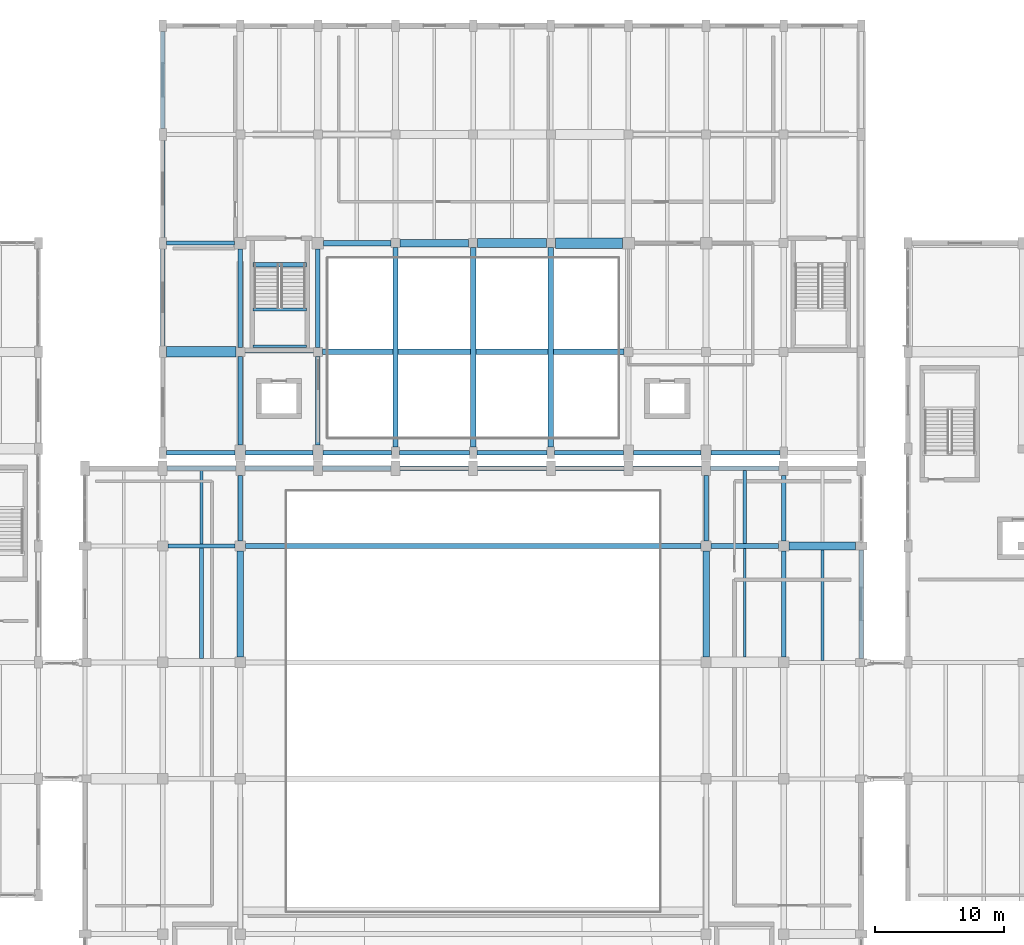
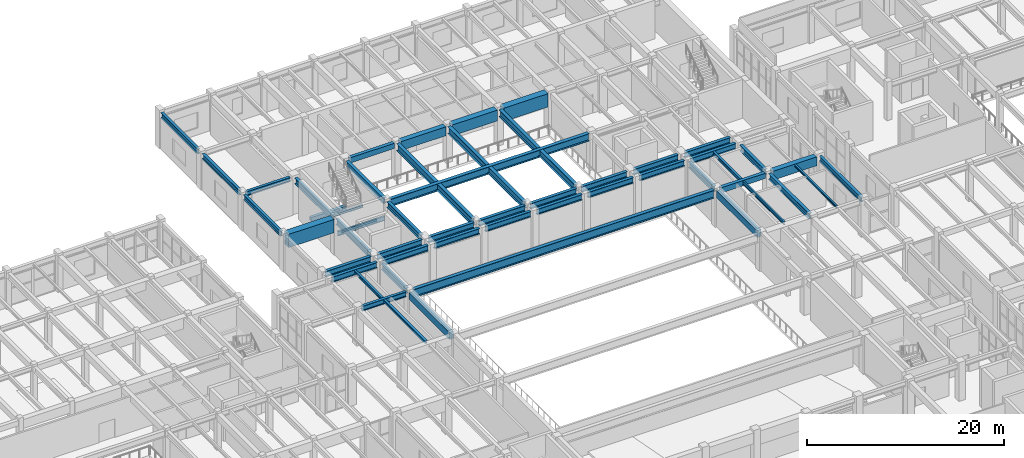
# One storey, part 47 of 96: 53 beams.
"""IFC4 building model written with IfcOpenShell, lengths in metres."""

from ifc_helpers import new_model, si_unit, direction, frame, origin, origin_2d, place, context, subcontext, project, spatial, rectangle, i_section, extrude, material, material_profile, profile_set, type_object, element, save


model = new_model("IFC4")

# Units and contexts
model_context = context("Model", 3, precision=1e-05, world=origin(), true_north=direction((0.0, 1.0)))
body_context = subcontext(model_context, "Body", "Model", "MODEL_VIEW")
ifc_project = project(units=[si_unit("LENGTHUNIT", "METRE"), si_unit("AREAUNIT", "SQUARE_METRE"), si_unit("VOLUMEUNIT", "CUBIC_METRE"), si_unit("PLANEANGLEUNIT", "RADIAN"), si_unit("MASSUNIT", "GRAM", prefix="KILO")], contexts=[model_context])

# Site, building, storey
site_placement = place(None, origin())
site = spatial("IfcSite", under=ifc_project, at=site_placement, CompositionType="ELEMENT")
building_placement = place(site_placement, origin())
building = spatial("IfcBuilding", under=site, at=building_placement, Name="Vaelkrest Opera House", CompositionType="ELEMENT")
storey_placement = place(building_placement, frame((0.0, 0.0, 5.39990234375)))
storey = spatial("IfcBuildingStorey", under=building, at=storey_placement, Name="L01", CompositionType="ELEMENT", Elevation=5.39990234375)

# Beams
ifc_material_1 = material(Name="Concrete C50/60", Category="concrete")
ifc_material_profile_1 = material_profile(ifc_material_1, rectangle(XDim=0.39990234375, YDim=0.64990234375, at=origin_2d()), Name="RCB400X650")
ifc_profile_set_1 = profile_set([ifc_material_profile_1], Name="Concrete C50/60")
beam_type_1 = type_object("IfcBeamType", Name="B01", PredefinedType="BEAM", material=ifc_profile_set_1)
beam_1_placement = place(storey_placement, frame((18.39990234375, 10.199951171875, 4.175048828125), z_axis=(1.0, 0.0, 0.0), x_axis=(0.0, 1.0, 0.0)))
element("IfcBeam", 1, at=beam_1_placement, inside=storey, type_object=beam_type_1, Name="Beam BM-V1-L01-0245", PredefinedType="BEAM", context=body_context, shape_type="SweptSolid", body=[
    extrude(rectangle(XDim=0.39990234375, YDim=0.64990234375, at=origin_2d()), origin(), (0.0, 0.0, 1.0), 5.2001953125),
])
beam_2_placement = place(storey_placement, frame((-11.550048828125, 33.60009765625, 4.175048828125), z_axis=(1.0, 0.0, 0.0), x_axis=(0.0, 1.0, 0.0)))
element("IfcBeam", 2, at=beam_2_placement, inside=storey, type_object=beam_type_1, Name="Beam BM-V2-L01-0877", PredefinedType="BEAM", context=body_context, shape_type="SweptSolid", body=[
    extrude(rectangle(XDim=0.39990234375, YDim=0.64990234375, at=origin_2d()), origin(), (0.0, 0.0, 1.0), 5.199951171875),
])
ifc_material_profile_2 = material_profile(ifc_material_1, rectangle(XDim=0.5, YDim=0.85009765625, at=origin_2d()), Name="RCB500X850")
ifc_profile_set_2 = profile_set([ifc_material_profile_2], Name="Concrete C50/60")
beam_type_2 = type_object("IfcBeamType", Name="B03", PredefinedType="BEAM", material=ifc_profile_set_2)
for number, where, z_axis, x_axis, name in (
    (3, (-18.0, 1.60009765625, 4.0751953125), (0.0, 1.0, 0.0), (-1.0, 0.0, 0.0), "Beam BM-V1-L01-0276"),
    (4, (18.0, 1.60009765625, 4.0751953125), (0.0, 1.0, 0.0), (-1.0, 0.0, 0.0), "Beam BM-V1-L01-0284"),
):
    element("IfcBeam", number, at=place(storey_placement, frame(where, z_axis=z_axis, x_axis=x_axis)), inside=storey, type_object=beam_type_2, Name=name, PredefinedType="BEAM", context=body_context, shape_type="SweptSolid", body=[
        extrude(rectangle(XDim=0.5, YDim=0.85009765625, at=origin_2d()), origin(), (0.0, 0.0, 1.0), 8.199951171875),
    ])
ifc_material_profile_3 = material_profile(ifc_material_1, rectangle(XDim=0.60009765625, YDim=1.10009765625, at=origin_2d()), Name="RCB600X1100")
ifc_profile_set_3 = profile_set([ifc_material_profile_3], Name="Concrete C50/60")
beam_type_3 = type_object("IfcBeamType", Name="B05", PredefinedType="BEAM", material=ifc_profile_set_3)
beam_3_placement = place(storey_placement, frame((24.39990234375, 10.199951171875, 3.9501953125), z_axis=(1.0, 0.0, 0.0), x_axis=(0.0, 1.0, 0.0)))
element("IfcBeam", 5, at=beam_3_placement, inside=storey, type_object=beam_type_3, Name="Beam BM-V1-L01-0246", PredefinedType="BEAM", context=body_context, shape_type="SweptSolid", body=[
    extrude(rectangle(XDim=0.60009765625, YDim=1.10009765625, at=origin_2d()), origin(), (0.0, 0.0, 1.0), 5.150146484375),
])
beam_4_placement = place(storey_placement, frame((-5.64990234375, 33.60009765625, 3.9501953125), z_axis=(1.0, 0.0, 0.0), x_axis=(0.0, 1.0, 0.0)))
element("IfcBeam", 6, at=beam_4_placement, inside=storey, type_object=beam_type_3, Name="Beam BM-V2-L01-0878", PredefinedType="BEAM", context=body_context, shape_type="SweptSolid", body=[
    extrude(rectangle(XDim=0.60009765625, YDim=1.10009765625, at=origin_2d()), origin(), (0.0, 0.0, 1.0), 5.2998046875),
])
ifc_material_profile_4 = material_profile(ifc_material_1, rectangle(XDim=0.699951171875, YDim=1.35009765625, at=origin_2d()), Name="RCB700X1350")
ifc_profile_set_4 = profile_set([ifc_material_profile_4], Name="Concrete C50/60")
beam_type_4 = type_object("IfcBeamType", Name="B06", PredefinedType="BEAM", material=ifc_profile_set_4)
beam_5_placement = place(storey_placement, frame((0.35009765625, 33.60009765625, 3.8251953125), z_axis=(1.0, 0.0, 0.0), x_axis=(0.0, 1.0, 0.0)))
element("IfcBeam", 7, at=beam_5_placement, inside=storey, type_object=beam_type_4, Name="Beam BM-V2-L01-0879", PredefinedType="BEAM", context=body_context, shape_type="SweptSolid", body=[
    extrude(rectangle(XDim=0.699951171875, YDim=1.35009765625, at=origin_2d()), origin(), (0.0, 0.0, 1.0), 5.2998046875),
])
ifc_material_profile_5 = material_profile(ifc_material_1, rectangle(XDim=0.800048828125, YDim=1.64990234375, at=origin_2d()), Name="RCB800X1650")
ifc_profile_set_5 = profile_set([ifc_material_profile_5], Name="Concrete C50/60")
beam_type_5 = type_object("IfcBeamType", Name="B07", PredefinedType="BEAM", material=ifc_profile_set_5)
beam_6_placement = place(storey_placement, frame((-23.699951171875, 25.199951171875, 3.675048828125), z_axis=(1.0, 0.0, 0.0), x_axis=(0.0, 1.0, 0.0)))
element("IfcBeam", 8, at=beam_6_placement, inside=storey, type_object=beam_type_5, Name="Beam BM-V2-L01-0872", PredefinedType="BEAM", context=body_context, shape_type="SweptSolid", body=[
    extrude(rectangle(XDim=0.800048828125, YDim=1.64990234375, at=origin_2d()), origin(), (0.0, 0.0, 1.0), 5.349853515625),
])
beam_7_placement = place(storey_placement, frame((6.35009765625, 33.60009765625, 3.675048828125), z_axis=(1.0, 0.0, 0.0), x_axis=(0.0, 1.0, 0.0)))
element("IfcBeam", 9, at=beam_7_placement, inside=storey, type_object=beam_type_5, Name="Beam BM-V2-L01-0880", PredefinedType="BEAM", context=body_context, shape_type="SweptSolid", body=[
    extrude(rectangle(XDim=0.800048828125, YDim=1.64990234375, at=origin_2d()), origin(), (0.0, 0.0, 1.0), 5.199951171875),
])
ifc_material_2 = material(Name="Steel A992 Gr50", Category="steel")
ifc_material_profile_6 = material_profile(ifc_material_2, i_section(OverallWidth=0.35498046875, OverallDepth=0.695068359375, WebThickness=0.015380859375, FlangeThickness=0.02490234375, at=origin_2d()), Name="W27X146")
ifc_profile_set_6 = profile_set([ifc_material_profile_6], Name="Steel A992 Gr50")
beam_type_6 = type_object("IfcBeamType", Name="B10", PredefinedType="BEAM", material=ifc_profile_set_6)
for number, where, z_axis, x_axis, name in (
    (10, (-18.0, 10.60009765625, 4.152587890625), (0.0, 1.0, 0.0), (-1.0, 0.0, 0.0), "Beam BM-V1-L01-0277"),
    (11, (18.0, 10.60009765625, 4.152587890625), (0.0, 1.0, 0.0), (-1.0, 0.0, 0.0), "Beam BM-V1-L01-0285"),
):
    element("IfcBeam", number, at=place(storey_placement, frame(where, z_axis=z_axis, x_axis=x_axis)), inside=storey, type_object=beam_type_6, Name=name, PredefinedType="BEAM", context=body_context, shape_type="SweptSolid", body=[
        extrude(i_section(OverallWidth=0.35498046875, OverallDepth=0.695068359375, WebThickness=0.015380859375, FlangeThickness=0.02490234375, at=origin_2d()), origin(), (0.0, 0.0, 1.0), 5.0498046875),
    ])
beam_8_placement = place(storey_placement, frame((24.0, 1.60009765625, 4.152587890625), z_axis=(0.0, 1.0, 0.0), x_axis=(-1.0, 0.0, 0.0)))
element("IfcBeam", 12, at=beam_8_placement, inside=storey, type_object=beam_type_6, Name="Beam BM-V1-L01-0289", PredefinedType="BEAM", context=body_context, shape_type="SweptSolid", body=[
    extrude(i_section(OverallWidth=0.35498046875, OverallDepth=0.695068359375, WebThickness=0.015380859375, FlangeThickness=0.02490234375, at=origin_2d()), origin(), (0.0, 0.0, 1.0), 8.199951171875),
])
for number, where, z_axis, x_axis, name in (
    (13, (-18.0, 18.0, 4.152587890625), (0.0, 1.0, 0.0), (-1.0, 0.0, 0.0), "Beam BM-V2-L01-0905"),
    (14, (-12.0, 18.0, 4.152587890625), (0.0, 1.0, 0.0), (-1.0, 0.0, 0.0), "Beam BM-V2-L01-0909"),
):
    element("IfcBeam", number, at=place(storey_placement, frame(where, z_axis=z_axis, x_axis=x_axis)), inside=storey, type_object=beam_type_6, Name=name, PredefinedType="BEAM", context=body_context, shape_type="SweptSolid", body=[
        extrude(i_section(OverallWidth=0.35498046875, OverallDepth=0.695068359375, WebThickness=0.015380859375, FlangeThickness=0.02490234375, at=origin_2d()), origin(), (0.0, 0.0, 1.0), 6.85009765625),
    ])
ifc_material_profile_7 = material_profile(ifc_material_2, i_section(OverallWidth=0.39892578125, OverallDepth=0.85498046875, WebThickness=0.018310546875, FlangeThickness=0.029296875, at=origin_2d()), Name="W33X201")
ifc_profile_set_7 = profile_set([ifc_material_profile_7], Name="Steel A992 Gr50")
beam_type_7 = type_object("IfcBeamType", Name="B12", PredefinedType="BEAM", material=ifc_profile_set_7)
for number, where, z_axis, x_axis, name in (
    (15, (-6.0, 17.85009765625, 4.072509765625), (0.0, 1.0, 0.0), (-1.0, 0.0, 0.0), "Beam BM-V2-L01-0913"),
    (16, (0.0, 17.85009765625, 4.072509765625), (0.0, 1.0, 0.0), (-1.0, 0.0, 0.0), "Beam BM-V2-L01-0916"),
    (17, (6.0, 17.85009765625, 4.072509765625), (0.0, 1.0, 0.0), (-1.0, 0.0, 0.0), "Beam BM-V2-L01-0919"),
):
    element("IfcBeam", number, at=place(storey_placement, frame(where, z_axis=z_axis, x_axis=x_axis)), inside=storey, type_object=beam_type_7, Name=name, PredefinedType="BEAM", context=body_context, shape_type="SweptSolid", body=[
        extrude(i_section(OverallWidth=0.39892578125, OverallDepth=0.85498046875, WebThickness=0.018310546875, FlangeThickness=0.029296875, at=origin_2d()), origin(), (0.0, 0.0, 1.0), 15.39990234375),
    ])
ifc_material_profile_8 = material_profile(ifc_material_2, i_section(OverallWidth=0.41796875, OverallDepth=0.927001953125, WebThickness=0.019287109375, FlangeThickness=0.031982421875, at=origin_2d()), Name="W36X231")
ifc_profile_set_8 = profile_set([ifc_material_profile_8], Name="Steel A992 Gr50")
beam_type_8 = type_object("IfcBeamType", Name="B13", PredefinedType="BEAM", material=ifc_profile_set_8)
beam_9_placement = place(storey_placement, frame((-11.64990234375, 25.199951171875, 4.03662109375), z_axis=(1.0, 0.0, 0.0), x_axis=(0.0, 1.0, 0.0)))
element("IfcBeam", 18, at=beam_9_placement, inside=storey, type_object=beam_type_8, Name="Beam BM-V2-L01-0873", PredefinedType="BEAM", context=body_context, shape_type="SweptSolid", body=[
    extrude(i_section(OverallWidth=0.41796875, OverallDepth=0.927001953125, WebThickness=0.019287109375, FlangeThickness=0.031982421875, at=origin_2d()), origin(), (0.0, 0.0, 1.0), 23.2998046875),
])
ifc_material_profile_9 = material_profile(ifc_material_2, i_section(OverallWidth=0.35791015625, OverallDepth=0.7060546875, WebThickness=0.018310546875, FlangeThickness=0.0302734375, at=origin_2d()), Name="W27X178")
ifc_profile_set_9 = profile_set([ifc_material_profile_9], Name="Steel A992 Gr50")
beam_type_9 = type_object("IfcBeamType", Name="B14", PredefinedType="BEAM", material=ifc_profile_set_9)
beam_10_placement = place(storey_placement, frame((24.0, 10.60009765625, 4.147216796875), z_axis=(0.0, 1.0, 0.0), x_axis=(-1.0, 0.0, 0.0)))
element("IfcBeam", 19, at=beam_10_placement, inside=storey, type_object=beam_type_9, Name="Beam BM-V1-L01-0290", PredefinedType="BEAM", context=body_context, shape_type="SweptSolid", body=[
    extrude(i_section(OverallWidth=0.35791015625, OverallDepth=0.7060546875, WebThickness=0.018310546875, FlangeThickness=0.0302734375, at=origin_2d()), origin(), (0.0, 0.0, 1.0), 5.0498046875),
])
for number, where, z_axis, x_axis, name in (
    (20, (-18.0, 25.550048828125, 4.147216796875), (0.0, 1.0, 0.0), (-1.0, 0.0, 0.0), "Beam BM-V2-L01-0906"),
    (21, (-12.0, 25.550048828125, 4.147216796875), (0.0, 1.0, 0.0), (-1.0, 0.0, 0.0), "Beam BM-V2-L01-0910"),
):
    element("IfcBeam", number, at=place(storey_placement, frame(where, z_axis=z_axis, x_axis=x_axis)), inside=storey, type_object=beam_type_9, Name=name, PredefinedType="BEAM", context=body_context, shape_type="SweptSolid", body=[
        extrude(i_section(OverallWidth=0.35791015625, OverallDepth=0.7060546875, WebThickness=0.018310546875, FlangeThickness=0.0302734375, at=origin_2d()), origin(), (0.0, 0.0, 1.0), 7.599853515625),
    ])
ifc_material_profile_10 = material_profile(ifc_material_2, i_section(OverallWidth=0.39990234375, OverallDepth=1.02197265625, WebThickness=0.01904296875, FlangeThickness=0.0361328125, at=origin_2d()), Name="W40X249")
ifc_profile_set_10 = profile_set([ifc_material_profile_10], Name="Steel A992 Gr50")
beam_type_10 = type_object("IfcBeamType", Name="B15", PredefinedType="BEAM", material=ifc_profile_set_10)
beam_11_placement = place(storey_placement, frame((-17.60009765625, 10.199951171875, 3.989013671875), z_axis=(1.0, 0.0, 0.0), x_axis=(0.0, 1.0, 0.0)))
element("IfcBeam", 22, at=beam_11_placement, inside=storey, type_object=beam_type_10, Name="Beam BM-V1-L01-0244", PredefinedType="BEAM", context=body_context, shape_type="SweptSolid", body=[
    extrude(i_section(OverallWidth=0.39990234375, OverallDepth=1.02197265625, WebThickness=0.01904296875, FlangeThickness=0.0361328125, at=origin_2d()), origin(), (0.0, 0.0, 1.0), 35.2001953125),
])
ifc_material_profile_11 = material_profile(ifc_material_2, i_section(OverallWidth=0.326904296875, OverallDepth=0.6220703125, WebThickness=0.015380859375, FlangeThickness=0.0244140625, at=origin_2d()), Name="W24X131")
ifc_profile_set_11 = profile_set([ifc_material_profile_11], Name="Steel A992 Gr50")
beam_type_11 = type_object("IfcBeamType", Name="B19", PredefinedType="BEAM", material=ifc_profile_set_11)
beam_12_placement = place(storey_placement, frame((-23.60009765625, 10.199951171875, 4.189208984375), z_axis=(1.0, 0.0, 0.0), x_axis=(0.0, 1.0, 0.0)))
element("IfcBeam", 23, at=beam_12_placement, inside=storey, type_object=beam_type_11, Name="Beam BM-V1-L01-0243", PredefinedType="BEAM", context=body_context, shape_type="SweptSolid", body=[
    extrude(i_section(OverallWidth=0.326904296875, OverallDepth=0.6220703125, WebThickness=0.015380859375, FlangeThickness=0.0244140625, at=origin_2d()), origin(), (0.0, 0.0, 1.0), 5.2001953125),
])
ifc_material_profile_12 = material_profile(ifc_material_2, i_section(OverallWidth=0.31494140625, OverallDepth=0.551025390625, WebThickness=0.01513671875, FlangeThickness=0.0244140625, at=origin_2d()), Name="W21X122")
ifc_profile_set_12 = profile_set([ifc_material_profile_12], Name="Steel A992 Gr50")
beam_type_12 = type_object("IfcBeamType", Name="B20", PredefinedType="BEAM", material=ifc_profile_set_12)
beam_13_placement = place(storey_placement, frame((-23.699951171875, 33.60009765625, 4.224609375), z_axis=(1.0, 0.0, 0.0), x_axis=(0.0, 1.0, 0.0)))
element("IfcBeam", 24, at=beam_13_placement, inside=storey, type_object=beam_type_12, Name="Beam BM-V2-L01-0876", PredefinedType="BEAM", context=body_context, shape_type="SweptSolid", body=[
    extrude(i_section(OverallWidth=0.31494140625, OverallDepth=0.551025390625, WebThickness=0.01513671875, FlangeThickness=0.0244140625, at=origin_2d()), origin(), (0.0, 0.0, 1.0), 5.25),
])
ifc_material_profile_13 = material_profile(ifc_material_2, i_section(OverallWidth=0.2041015625, OverallDepth=0.257080078125, WebThickness=0.0087890625, FlangeThickness=0.015625, at=origin_2d()), Name="W10X45")
ifc_profile_set_13 = profile_set([ifc_material_profile_13], Name="Steel A992 Gr50")
beam_type_13 = type_object("IfcBeamType", Name="J01", PredefinedType="JOIST", material=ifc_profile_set_13)
beam_14_placement = place(storey_placement, frame((27.0, 1.362060546875, 4.37158203125), z_axis=(0.0, 1.0, 0.0), x_axis=(-1.0, 0.0, 0.0)))
element("IfcBeam", 25, at=beam_14_placement, inside=storey, type_object=beam_type_13, Name="Floor joist JST-V1-L01-0311", PredefinedType="JOIST", context=body_context, shape_type="SweptSolid", body=[
    extrude(i_section(OverallWidth=0.2041015625, OverallDepth=0.257080078125, WebThickness=0.0087890625, FlangeThickness=0.015625, at=origin_2d()), origin(), (0.0, 0.0, 1.0), 8.537841796875),
])
ifc_material_profile_14 = material_profile(ifc_material_2, i_section(OverallWidth=0.202880859375, OverallDepth=0.302978515625, WebThickness=0.007568359375, FlangeThickness=0.01318359375, at=origin_2d()), Name="W12X40")
ifc_profile_set_14 = profile_set([ifc_material_profile_14], Name="Steel A992 Gr50")
beam_type_14 = type_object("IfcBeamType", Name="J02", PredefinedType="JOIST", material=ifc_profile_set_14)
for number, where, z_axis, x_axis, name in (
    (26, (-17.02001953125, 25.6201171875, 2.048583984375), (1.0, 0.0, 0.0), (0.0, 1.0, 0.0), "Stair landing bearer beam ST05 L01-1N"),
    (27, (-17.02001953125, 28.469970703125, 2.048583984375), (1.0, 0.0, 0.0), (0.0, 1.0, 0.0), "Stair landing bearer beam ST05 L01-1F"),
):
    element("IfcBeam", number, at=place(storey_placement, frame(where, z_axis=z_axis, x_axis=x_axis)), inside=storey, type_object=beam_type_14, Name=name, PredefinedType="JOIST", context=body_context, shape_type="SweptSolid", body=[
        extrude(i_section(OverallWidth=0.202880859375, OverallDepth=0.302978515625, WebThickness=0.007568359375, FlangeThickness=0.01318359375, at=origin_2d()), origin(), (0.0, 0.0, 1.0), 4.14013671875),
    ])
ifc_material_profile_15 = material_profile(ifc_material_2, i_section(OverallWidth=0.304931640625, OverallDepth=0.30810546875, WebThickness=0.010009765625, FlangeThickness=0.015380859375, at=origin_2d()), Name="W12X65")
ifc_profile_set_15 = profile_set([ifc_material_profile_15], Name="Steel A992 Gr50")
beam_type_15 = type_object("IfcBeamType", Name="J04", PredefinedType="JOIST", material=ifc_profile_set_15)
beam_15_placement = place(storey_placement, frame((-21.0, 1.5, 4.34619140625), z_axis=(0.0, 1.0, 0.0), x_axis=(-1.0, 0.0, 0.0)))
element("IfcBeam", 28, at=beam_15_placement, inside=storey, type_object=beam_type_15, Name="Floor joist JST-V1-L01-0304", PredefinedType="JOIST", context=body_context, shape_type="SweptSolid", body=[
    extrude(i_section(OverallWidth=0.304931640625, OverallDepth=0.30810546875, WebThickness=0.010009765625, FlangeThickness=0.015380859375, at=origin_2d()), origin(), (0.0, 0.0, 1.0), 8.53662109375),
])
ifc_material_profile_16 = material_profile(ifc_material_2, i_section(OverallWidth=0.2548828125, OverallDepth=0.35693359375, WebThickness=0.010498046875, FlangeThickness=0.018310546875, at=origin_2d()), Name="W14X68")
ifc_profile_set_16 = profile_set([ifc_material_profile_16], Name="Steel A992 Gr50")
beam_type_16 = type_object("IfcBeamType", Name="J05", PredefinedType="JOIST", material=ifc_profile_set_16)
beam_16_placement = place(storey_placement, frame((-21.0, 10.363525390625, 4.321533203125), z_axis=(0.0, 1.0, 0.0), x_axis=(-1.0, 0.0, 0.0)))
element("IfcBeam", 29, at=beam_16_placement, inside=storey, type_object=beam_type_16, Name="Floor joist JST-V1-L01-0305", PredefinedType="JOIST", context=body_context, shape_type="SweptSolid", body=[
    extrude(i_section(OverallWidth=0.2548828125, OverallDepth=0.35693359375, WebThickness=0.010498046875, FlangeThickness=0.018310546875, at=origin_2d()), origin(), (0.0, 0.0, 1.0), 5.658935546875),
])
ifc_material_profile_17 = material_profile(ifc_material_2, i_section(OverallWidth=0.180908203125, OverallDepth=0.4169921875, WebThickness=0.010986328125, FlangeThickness=0.018310546875, at=origin_2d()), Name="W16X57")
ifc_profile_set_17 = profile_set([ifc_material_profile_17], Name="Steel A992 Gr50")
beam_type_17 = type_object("IfcBeamType", Name="J07", PredefinedType="JOIST", material=ifc_profile_set_17)
beam_17_placement = place(storey_placement, frame((21.0, 1.60009765625, 4.29150390625), z_axis=(0.0, 1.0, 0.0), x_axis=(-1.0, 0.0, 0.0)))
element("IfcBeam", 30, at=beam_17_placement, inside=storey, type_object=beam_type_17, Name="Floor joist JST-V1-L01-0307", PredefinedType="JOIST", context=body_context, shape_type="SweptSolid", body=[
    extrude(i_section(OverallWidth=0.180908203125, OverallDepth=0.4169921875, WebThickness=0.010986328125, FlangeThickness=0.018310546875, at=origin_2d()), origin(), (0.0, 0.0, 1.0), 8.39990234375),
])
ifc_material_profile_18 = material_profile(ifc_material_2, i_section(OverallWidth=0.261962890625, OverallDepth=0.4189453125, WebThickness=0.01171875, FlangeThickness=0.019287109375, at=origin_2d()), Name="W16X77")
ifc_profile_set_18 = profile_set([ifc_material_profile_18], Name="Steel A992 Gr50")
beam_type_18 = type_object("IfcBeamType", Name="J08", PredefinedType="JOIST", material=ifc_profile_set_18)
beam_18_placement = place(storey_placement, frame((21.0, 10.39990234375, 4.29052734375), z_axis=(0.0, 1.0, 0.0), x_axis=(-1.0, 0.0, 0.0)))
element("IfcBeam", 31, at=beam_18_placement, inside=storey, type_object=beam_type_18, Name="Floor joist JST-V1-L01-0308", PredefinedType="JOIST", context=body_context, shape_type="SweptSolid", body=[
    extrude(i_section(OverallWidth=0.261962890625, OverallDepth=0.4189453125, WebThickness=0.01171875, FlangeThickness=0.019287109375, at=origin_2d()), origin(), (0.0, 0.0, 1.0), 5.62255859375),
])
ifc_material_profile_19 = material_profile(ifc_material_1, rectangle(XDim=0.35009765625, YDim=0.449951171875, at=origin_2d()), Name="RCB350X450")
ifc_profile_set_19 = profile_set([ifc_material_profile_19], Name="Concrete C50/60")
beam_type_19 = type_object("IfcBeamType", Name="LN01", PredefinedType="LINTEL", material=ifc_profile_set_19)
beam_19_placement = place(storey_placement, frame((-17.02001953125, 31.949951171875, -0.224853515625), z_axis=(1.0, 0.0, 0.0), x_axis=(0.0, 1.0, 0.0)))
element("IfcBeam", 32, at=beam_19_placement, inside=storey, type_object=beam_type_19, Name="Stairwell trimmer beam ST05 L01", PredefinedType="LINTEL", context=body_context, shape_type="SweptSolid", body=[
    extrude(rectangle(XDim=0.35009765625, YDim=0.449951171875, at=origin_2d()), origin(), (0.0, 0.0, 1.0), 4.14013671875),
])
ifc_material_profile_20 = material_profile(ifc_material_2, i_section(OverallWidth=0.214111328125, OverallDepth=0.549072265625, WebThickness=0.0146484375, FlangeThickness=0.023681640625, at=origin_2d()), Name="W21X93")
ifc_profile_set_20 = profile_set([ifc_material_profile_20], Name="Steel A992 Gr50")
beam_type_20 = type_object("IfcBeamType", Name="LN03", PredefinedType="LINTEL", material=ifc_profile_set_20)
beam_20_placement = place(storey_placement, frame((-17.75, 25.199951171875, 2.300048828125), z_axis=(1.0, 0.0, 0.0), x_axis=(0.0, 1.0, 0.0)))
element("IfcBeam", 33, at=beam_20_placement, inside=storey, type_object=beam_type_20, Name="Portal lintel L01-3", PredefinedType="LINTEL", context=body_context, shape_type="SweptSolid", body=[
    extrude(i_section(OverallWidth=0.214111328125, OverallDepth=0.549072265625, WebThickness=0.0146484375, FlangeThickness=0.023681640625, at=origin_2d()), origin(), (0.0, 0.0, 1.0), 5.5),
])
ifc_material_profile_21 = material_profile(ifc_material_2, i_section(OverallWidth=0.323974609375, OverallDepth=0.611083984375, WebThickness=0.0126953125, FlangeThickness=0.01904296875, at=origin_2d()), Name="W24X104")
ifc_profile_set_21 = profile_set([ifc_material_profile_21], Name="Steel A992 Gr50")
beam_type_21 = type_object("IfcBeamType", Name="SP01", PredefinedType="SPANDREL", material=ifc_profile_set_21)
beam_21_placement = place(storey_placement, frame((30.0, 1.5, 4.194580078125), z_axis=(0.0, 1.0, 0.0), x_axis=(-1.0, 0.0, 0.0)))
element("IfcBeam", 34, at=beam_21_placement, inside=storey, type_object=beam_type_21, Name="Beam BM-V1-L01-0297", PredefinedType="SPANDREL", context=body_context, shape_type="SweptSolid", body=[
    extrude(i_section(OverallWidth=0.323974609375, OverallDepth=0.611083984375, WebThickness=0.0126953125, FlangeThickness=0.01904296875, at=origin_2d()), origin(), (0.0, 0.0, 1.0), 8.39990234375),
])
for number, where, z_axis, x_axis, name in (
    (35, (-24.0, 25.64990234375, 4.19970703125), (0.0, 1.0, 0.0), (-1.0, 0.0, 0.0), "Beam BM-V2-L01-0902"),
    (36, (-24.0, 34.050048828125, 4.19970703125), (0.0, 1.0, 0.0), (-1.0, 0.0, 0.0), "Beam BM-V2-L01-0903"),
    (37, (-24.0, 42.449951171875, 4.19970703125), (0.0, 1.0, 0.0), (-1.0, 0.0, 0.0), "Beam BM-V2-L01-0904"),
):
    element("IfcBeam", number, at=place(storey_placement, frame(where, z_axis=z_axis, x_axis=x_axis)), inside=storey, type_object=beam_type_21, Name=name, PredefinedType="SPANDREL", context=body_context, shape_type="SweptSolid", body=[
        extrude(i_section(OverallWidth=0.323974609375, OverallDepth=0.611083984375, WebThickness=0.0126953125, FlangeThickness=0.01904296875, at=origin_2d()), origin(), (0.0, 0.0, 1.0), 7.5),
    ])
ifc_material_profile_22 = material_profile(ifc_material_2, i_section(OverallWidth=0.35498046875, OverallDepth=0.695068359375, WebThickness=0.015380859375, FlangeThickness=0.02490234375, at=origin_2d()), Name="W27X146")
ifc_profile_set_22 = profile_set([ifc_material_profile_22], Name="Steel A992 Gr50")
beam_type_22 = type_object("IfcBeamType", Name="SP02", PredefinedType="SPANDREL", material=ifc_profile_set_22)
for number, where, z_axis, x_axis, name in (
    (38, (-23.64990234375, 16.199951171875, 4.152587890625), (1.0, 0.0, 0.0), (0.0, 1.0, 0.0), "Beam BM-V1-L01-0248"),
    (39, (-17.64990234375, 16.199951171875, 4.152587890625), (1.0, 0.0, 0.0), (0.0, 1.0, 0.0), "Beam BM-V1-L01-0249"),
    (40, (-11.64990234375, 16.199951171875, 4.152587890625), (1.0, 0.0, 0.0), (0.0, 1.0, 0.0), "Beam BM-V1-L01-0250"),
    (41, (-5.64990234375, 16.199951171875, 4.152587890625), (1.0, 0.0, 0.0), (0.0, 1.0, 0.0), "Beam BM-V1-L01-0251"),
    (42, (0.35009765625, 16.199951171875, 4.152587890625), (1.0, 0.0, 0.0), (0.0, 1.0, 0.0), "Beam BM-V1-L01-0252"),
    (43, (6.35009765625, 16.199951171875, 4.152587890625), (1.0, 0.0, 0.0), (0.0, 1.0, 0.0), "Beam BM-V1-L01-0253"),
    (44, (12.35009765625, 16.199951171875, 4.152587890625), (1.0, 0.0, 0.0), (0.0, 1.0, 0.0), "Beam BM-V1-L01-0254"),
    (45, (18.35009765625, 16.199951171875, 4.152587890625), (1.0, 0.0, 0.0), (0.0, 1.0, 0.0), "Beam BM-V1-L01-0255"),
):
    element("IfcBeam", number, at=place(storey_placement, frame(where, z_axis=z_axis, x_axis=x_axis)), inside=storey, type_object=beam_type_22, Name=name, PredefinedType="SPANDREL", context=body_context, shape_type="SweptSolid", body=[
        extrude(i_section(OverallWidth=0.35498046875, OverallDepth=0.695068359375, WebThickness=0.015380859375, FlangeThickness=0.02490234375, at=origin_2d()), origin(), (0.0, 0.0, 1.0), 5.2998046875),
    ])
beam_22_placement = place(storey_placement, frame((-23.699951171875, 17.39990234375, 4.152587890625), z_axis=(1.0, 0.0, 0.0), x_axis=(0.0, 1.0, 0.0)))
element("IfcBeam", 46, at=beam_22_placement, inside=storey, type_object=beam_type_22, Name="Beam BM-V2-L01-0863", PredefinedType="SPANDREL", context=body_context, shape_type="SweptSolid", body=[
    extrude(i_section(OverallWidth=0.35498046875, OverallDepth=0.695068359375, WebThickness=0.015380859375, FlangeThickness=0.02490234375, at=origin_2d()), origin(), (0.0, 0.0, 1.0), 5.300048828125),
])
beam_23_placement = place(storey_placement, frame((-17.60009765625, 17.39990234375, 4.152587890625), z_axis=(1.0, 0.0, 0.0), x_axis=(0.0, 1.0, 0.0)))
element("IfcBeam", 47, at=beam_23_placement, inside=storey, type_object=beam_type_22, Name="Beam BM-V2-L01-0864", PredefinedType="SPANDREL", context=body_context, shape_type="SweptSolid", body=[
    extrude(i_section(OverallWidth=0.35498046875, OverallDepth=0.695068359375, WebThickness=0.015380859375, FlangeThickness=0.02490234375, at=origin_2d()), origin(), (0.0, 0.0, 1.0), 5.2001953125),
])
beam_24_placement = place(storey_placement, frame((-11.60009765625, 17.39990234375, 4.152587890625), z_axis=(1.0, 0.0, 0.0), x_axis=(0.0, 1.0, 0.0)))
element("IfcBeam", 48, at=beam_24_placement, inside=storey, type_object=beam_type_22, Name="Beam BM-V2-L01-0865", PredefinedType="SPANDREL", context=body_context, shape_type="SweptSolid", body=[
    extrude(i_section(OverallWidth=0.35498046875, OverallDepth=0.695068359375, WebThickness=0.015380859375, FlangeThickness=0.02490234375, at=origin_2d()), origin(), (0.0, 0.0, 1.0), 5.300048828125),
])
for number, where, z_axis, x_axis, name in (
    (49, (-5.699951171875, 17.39990234375, 4.152587890625), (1.0, 0.0, 0.0), (0.0, 1.0, 0.0), "Beam BM-V2-L01-0866"),
    (50, (0.300048828125, 17.39990234375, 4.152587890625), (1.0, 0.0, 0.0), (0.0, 1.0, 0.0), "Beam BM-V2-L01-0867"),
):
    element("IfcBeam", number, at=place(storey_placement, frame(where, z_axis=z_axis, x_axis=x_axis)), inside=storey, type_object=beam_type_22, Name=name, PredefinedType="SPANDREL", context=body_context, shape_type="SweptSolid", body=[
        extrude(i_section(OverallWidth=0.35498046875, OverallDepth=0.695068359375, WebThickness=0.015380859375, FlangeThickness=0.02490234375, at=origin_2d()), origin(), (0.0, 0.0, 1.0), 5.39990234375),
    ])
beam_25_placement = place(storey_placement, frame((6.300048828125, 17.39990234375, 4.152587890625), z_axis=(1.0, 0.0, 0.0), x_axis=(0.0, 1.0, 0.0)))
element("IfcBeam", 51, at=beam_25_placement, inside=storey, type_object=beam_type_22, Name="Beam BM-V2-L01-0868", PredefinedType="SPANDREL", context=body_context, shape_type="SweptSolid", body=[
    extrude(i_section(OverallWidth=0.35498046875, OverallDepth=0.695068359375, WebThickness=0.015380859375, FlangeThickness=0.02490234375, at=origin_2d()), origin(), (0.0, 0.0, 1.0), 5.300048828125),
])
beam_26_placement = place(storey_placement, frame((12.39990234375, 17.39990234375, 4.152587890625), z_axis=(1.0, 0.0, 0.0), x_axis=(0.0, 1.0, 0.0)))
element("IfcBeam", 52, at=beam_26_placement, inside=storey, type_object=beam_type_22, Name="Beam BM-V2-L01-0869", PredefinedType="SPANDREL", context=body_context, shape_type="SweptSolid", body=[
    extrude(i_section(OverallWidth=0.35498046875, OverallDepth=0.695068359375, WebThickness=0.015380859375, FlangeThickness=0.02490234375, at=origin_2d()), origin(), (0.0, 0.0, 1.0), 5.2001953125),
])
beam_27_placement = place(storey_placement, frame((18.39990234375, 17.39990234375, 4.152587890625), z_axis=(1.0, 0.0, 0.0), x_axis=(0.0, 1.0, 0.0)))
element("IfcBeam", 53, at=beam_27_placement, inside=storey, type_object=beam_type_22, Name="Beam BM-V2-L01-0870", PredefinedType="SPANDREL", context=body_context, shape_type="SweptSolid", body=[
    extrude(i_section(OverallWidth=0.35498046875, OverallDepth=0.695068359375, WebThickness=0.015380859375, FlangeThickness=0.02490234375, at=origin_2d()), origin(), (0.0, 0.0, 1.0), 5.300048828125),
])

save(model, "model.ifc")
